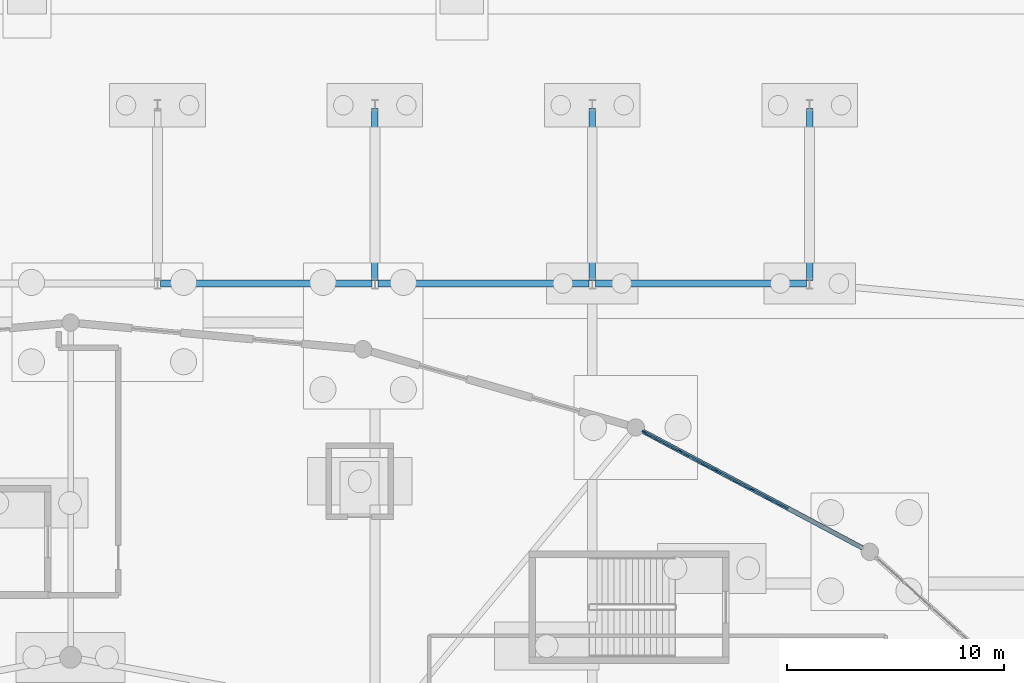
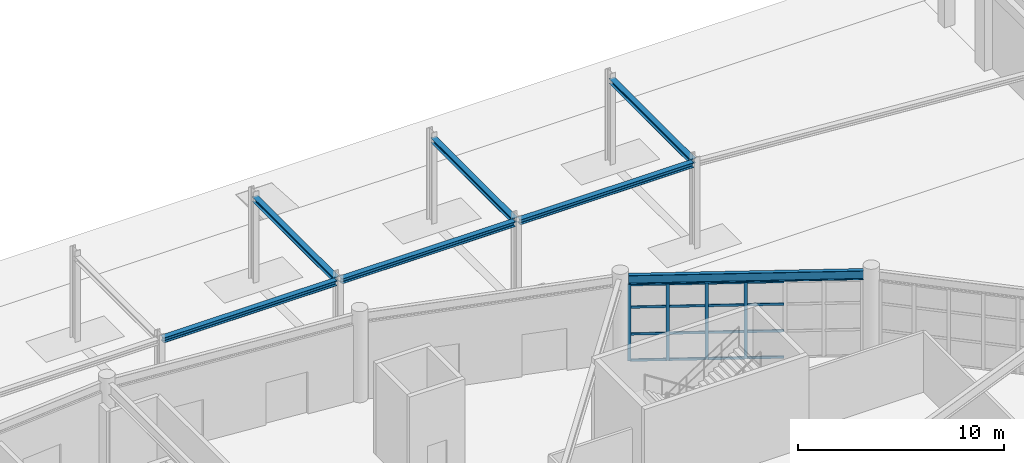
# One storey, part 48 of 99: 20 members, 7 beams, 1 element without a shape of its own.
"""IFC4 building model written with IfcOpenShell, lengths in metres."""

import ifcopenshell
import ifcopenshell.guid

model = None  # the IFC model being written
_history = None  # IfcOwnerHistory: only IFC2X3 demands one
_inside = {}  # id of a spatial element -> (the spatial element, [elements in it])
_under = {}  # id of a project, library or spatial element -> (it, [spatial elements below it])
_declared = {}  # id of a project -> (the project, [libraries it declares])
_typed = {}  # id of a type object -> (the type object, [elements of that type])
_made_of = {}  # id of a material, layer set ... -> (it, [elements and type objects made of it])


def new_model(schema):
    """Start an empty IFC model of exactly this schema.

    Asked for "IFC4X3", IfcOpenShell would pick the latest addendum, in which some entities
    have other attributes; the version numbers below select the first issue.
    IFC2X3 requires an IfcOwnerHistory on every rooted entity: one is made here for all.
    """
    global model, _history
    if schema == "IFC4X3":
        model = ifcopenshell.file(schema_version=(4, 3, 0, 0))
    else:
        model = ifcopenshell.file(schema=schema)
    _inside.clear()
    _under.clear()
    _declared.clear()
    _typed.clear()
    _made_of.clear()
    _history = None
    if model.schema == "IFC2X3":
        org = make("IfcOrganization", Name="unknown")
        user = make(
            "IfcPersonAndOrganization",
            ThePerson=make("IfcPerson", FamilyName="unknown"),
            TheOrganization=org,
        )
        app = make(
            "IfcApplication",
            ApplicationDeveloper=org,
            Version="unknown",
            ApplicationFullName="unknown",
            ApplicationIdentifier="unknown",
        )
        _history = make(
            "IfcOwnerHistory",
            OwningUser=user,
            OwningApplication=app,
            ChangeAction="ADDED",
            CreationDate=0,
        )
    return model


def make(cls, **values):
    """One entity of the class cls with the attributes given. An attribute that is None is left unset."""
    return model.create_entity(
        cls, **{name: value for name, value in values.items() if value is not None}
    )


def rooted(cls, **values):
    """An entity with a GlobalId (a new one), such as an element, a storey or a relation."""
    return make(cls, GlobalId=ifcopenshell.guid.new(), OwnerHistory=_history, **values)


def si_unit(unit_type, name, prefix=None):
    """IfcSIUnit, for example si_unit("LENGTHUNIT", "METRE", prefix="MILLI")."""
    return make("IfcSIUnit", UnitType=unit_type, Prefix=prefix, Name=name)


def assignment(units):
    """IfcUnitAssignment: the units of a project."""
    return None if units is None else make("IfcUnitAssignment", Units=units)


def point(xyz):
    """IfcCartesianPoint."""
    return None if xyz is None else make("IfcCartesianPoint", Coordinates=xyz)


def direction(xyz):
    """IfcDirection."""
    return None if xyz is None else make("IfcDirection", DirectionRatios=xyz)


def frame(location, z_axis=None, x_axis=None):
    """IfcAxis2Placement3D, a coordinate frame: its origin and axes. An axis left out is left unset."""
    return make(
        "IfcAxis2Placement3D",
        Location=point(location),
        Axis=direction(z_axis),
        RefDirection=direction(x_axis),
    )


def frame_2d(location, x_axis=None):
    """IfcAxis2Placement2D, a coordinate frame in the plane: its origin and x axis."""
    return make(
        "IfcAxis2Placement2D", Location=point(location), RefDirection=direction(x_axis)
    )


def origin():
    """The frame at (0, 0, 0) with its axes left unset."""
    return frame((0.0, 0.0, 0.0))


def origin_2d():
    """The frame at (0, 0) in the plane with its x axis left unset."""
    return frame_2d((0.0, 0.0))


def place(relative_to, where):
    """IfcLocalPlacement: puts the frame where relative to a parent placement (None: the world)."""
    return make(
        "IfcLocalPlacement", PlacementRelTo=relative_to, RelativePlacement=where
    )


def context(
    kind, dimensions, precision=None, world=None, true_north=None, identifier=None
):
    """IfcGeometricRepresentationContext, for example the 3D "Model" context."""
    return make(
        "IfcGeometricRepresentationContext",
        ContextIdentifier=identifier,
        ContextType=kind,
        CoordinateSpaceDimension=dimensions,
        Precision=precision,
        WorldCoordinateSystem=world,
        TrueNorth=true_north,
    )


def subcontext(parent, identifier, kind, view, scale=None):
    """IfcGeometricRepresentationSubContext, for example "Body" below "Model"."""
    return make(
        "IfcGeometricRepresentationSubContext",
        ContextIdentifier=identifier,
        ContextType=kind,
        ParentContext=parent,
        TargetScale=scale,
        TargetView=view,
    )


def project(units=None, contexts=None):
    """IfcProject with its units and contexts."""
    return rooted(
        "IfcProject",
        Name="project",
        RepresentationContexts=contexts,
        UnitsInContext=assignment(units),
    )


def spatial(cls, under=None, at=None, **own):
    """A site, building, storey or space (cls), placed at a placement, below another one or the project."""
    s = rooted(cls, ObjectPlacement=at, **own)
    if under is not None:
        _under.setdefault(under.id(), (under, []))[1].append(s)
    return s


def profile(cls, at=None, kind="AREA", **sizes):
    """A parametric profile (cls). Its sizes go by their IFC names, for example OverallWidth=200.0."""
    return make(cls, ProfileType=kind, Position=at, **sizes)


def rectangle(**sizes):
    """IfcRectangleProfileDef."""
    return profile("IfcRectangleProfileDef", **sizes)


def i_section(**sizes):
    """IfcIShapeProfileDef."""
    return profile("IfcIShapeProfileDef", **sizes)


def extrude(swept, where, along, depth):
    """IfcExtrudedAreaSolid: the profile swept, set in the frame where, extruded along a direction by depth."""
    return make(
        "IfcExtrudedAreaSolid",
        SweptArea=swept,
        Position=where,
        ExtrudedDirection=direction(along),
        Depth=depth,
    )


def shape(context_of_items, identifier, shape_type, items):
    """IfcShapeRepresentation: the items that make up one representation, for example the "Body"."""
    return make(
        "IfcShapeRepresentation",
        ContextOfItems=context_of_items,
        RepresentationIdentifier=identifier,
        RepresentationType=shape_type,
        Items=items,
    )


def material(Name=None, Category=None):
    """IfcMaterial."""
    return make("IfcMaterial", Name=Name, Category=Category)


def layer(
    of_material, thickness, ventilated=None, Name=None, Category=None, Priority=None
):
    """IfcMaterialLayer: one layer of a wall or slab, of a material (None: an air gap)."""
    return make(
        "IfcMaterialLayer",
        Material=of_material,
        LayerThickness=thickness,
        IsVentilated=ventilated,
        Name=Name,
        Category=Category,
        Priority=Priority,
    )


def layer_set(layers, Name=None):
    """IfcMaterialLayerSet."""
    return make("IfcMaterialLayerSet", MaterialLayers=layers, LayerSetName=Name)


def material_profile(
    of_material, cross_section, Name=None, Category=None, Priority=None
):
    """IfcMaterialProfile: a cross section and its material."""
    return make(
        "IfcMaterialProfile",
        Name=Name,
        Material=of_material,
        Profile=cross_section,
        Priority=Priority,
        Category=Category,
    )


def profile_set(profiles, Name=None, composite=None):
    """IfcMaterialProfileSet."""
    return make(
        "IfcMaterialProfileSet",
        Name=Name,
        MaterialProfiles=profiles,
        CompositeProfile=composite,
    )


def made_of(thing, what):
    """Note that an element or type object is made of a material, layer set ...; save() writes the relation."""
    if what is not None:
        _made_of.setdefault(what.id(), (what, []))[1].append(thing)
    return thing


def type_object(cls, material=None, **own):
    """A type object (cls), such as IfcWallType, which elements share."""
    return made_of(rooted(cls, **own), material)


def element(
    cls,
    number,
    at=None,
    inside=None,
    cuts=None,
    type_object=None,
    material=None,
    context=None,
    identifier="Body",
    shape_type=None,
    held_by="IfcProductDefinitionShape",
    body=None,
    shapes=None,
    **own,
):
    """One element of the class cls, such as IfcWall. Its Tag is "e" and its number.

    at: its placement. inside: the storey or other place that contains it. cuts: it is an
    opening in that element (IfcRelVoidsElement). A single representation is given by context,
    identifier, shape_type and body (its items); several are given by shapes. held_by: the class
    of the entity that holds the representations. save() writes the other relations.
    """
    e = rooted(cls, Tag="e%d" % number, ObjectPlacement=at, **own)
    if body is not None:
        shapes = [shape(context, identifier, shape_type, body)]
    if shapes is not None:
        e.Representation = make(held_by, Representations=shapes)
    if inside is not None:
        _inside.setdefault(inside.id(), (inside, []))[1].append(e)
    if cuts is not None:
        rooted(
            "IfcRelVoidsElement", RelatingBuildingElement=cuts, RelatedOpeningElement=e
        )
    if type_object is not None:
        _typed.setdefault(type_object.id(), (type_object, []))[1].append(e)
    return made_of(e, material)


def aggregate(whole, parts):
    """IfcRelAggregates: a whole, such as a stair, and the parts it consists of."""
    return rooted("IfcRelAggregates", RelatingObject=whole, RelatedObjects=parts)


def save(model, path):
    """Write the relations noted so far, then the file.

    IfcRelAggregates (storeys below a building ...), IfcRelContainedInSpatialStructure (elements
    in a storey), IfcRelDefinesByType, IfcRelAssociatesMaterial and IfcRelDeclares: one each for
    every whole, place, type object, material and project.
    """
    for whole, parts in _under.values():
        aggregate(whole, parts)
    for where, things in _inside.values():
        rooted(
            "IfcRelContainedInSpatialStructure",
            RelatedElements=things,
            RelatingStructure=where,
        )
    for kind, things in _typed.values():
        rooted("IfcRelDefinesByType", RelatedObjects=things, RelatingType=kind)
    for what, things in _made_of.values():
        rooted("IfcRelAssociatesMaterial", RelatedObjects=things, RelatingMaterial=what)
    for by, libraries in _declared.values():
        rooted("IfcRelDeclares", RelatingContext=by, RelatedDefinitions=libraries)
    model.write(path)


model = new_model("IFC4")

# Units and contexts
model_context = context("Model", 3, precision=1e-05, world=origin(), true_north=direction((0.0, 1.0)))
body_context = subcontext(model_context, "Body", "Model", "MODEL_VIEW")
ifc_project = project(units=[si_unit("LENGTHUNIT", "METRE"), si_unit("AREAUNIT", "SQUARE_METRE"), si_unit("VOLUMEUNIT", "CUBIC_METRE"), si_unit("PLANEANGLEUNIT", "RADIAN"), si_unit("MASSUNIT", "GRAM", prefix="KILO")], contexts=[model_context])

# Site, building, storey
site_placement = place(None, origin())
site = spatial("IfcSite", under=ifc_project, at=site_placement, CompositionType="ELEMENT")
building_placement = place(site_placement, origin())
building = spatial("IfcBuilding", under=site, at=building_placement, Name="Kivolera Central Railway Station", CompositionType="ELEMENT")
storey_placement = place(building_placement, origin())
storey = spatial("IfcBuildingStorey", under=building, at=storey_placement, Name="L00", CompositionType="ELEMENT", Elevation=0.0)

# Beams
ifc_material_1 = material(Name="Steel S355", Category="steel")
ifc_material_profile_1 = material_profile(ifc_material_1, i_section(OverallWidth=0.300048828125, OverallDepth=0.2900390625, WebThickness=0.008544921875, FlangeThickness=0.013916015625, FilletRadius=0.027099609375, at=origin_2d()), Name="HEA 300")
ifc_profile_set_1 = profile_set([ifc_material_profile_1], Name="Steel S355")
beam_type_1 = type_object("IfcBeamType", Name="BM-CAN-TIE", PredefinedType="BEAM", material=ifc_profile_set_1)
for number, where, z_axis, x_axis, name in (
    (1, (78.0, 127.93994140625, 4.919921875), (0.0, 1.0, 0.0), (-1.0, 0.0, 0.0), "Forecourt Canopy Tie Beam 6"),
    (2, (88.0, 127.93994140625, 4.919921875), (0.0, 1.0, 0.0), (-1.0, 0.0, 0.0), "Forecourt Canopy Tie Beam 7"),
    (3, (98.0, 127.93994140625, 4.919921875), (0.0, 1.0, 0.0), (-1.0, 0.0, 0.0), "Forecourt Canopy Tie Beam 8"),
):
    element("IfcBeam", number, at=place(storey_placement, frame(where, z_axis=z_axis, x_axis=x_axis)), inside=storey, type_object=beam_type_1, Name=name, PredefinedType="BEAM", context=body_context, shape_type="SweptSolid", body=[
        extrude(i_section(OverallWidth=0.300048828125, OverallDepth=0.2900390625, WebThickness=0.008544921875, FlangeThickness=0.013916015625, FilletRadius=0.027099609375, at=origin_2d()), origin(), (0.0, 0.0, 1.0), 7.920166015625),
    ])
for number, where, z_axis, x_axis, name in (
    (4, (68.139892578125, 127.800048828125, 4.919921875), (1.0, 0.0, 0.0), (0.0, 1.0, 0.0), "Forecourt Canopy South Longitudinal Beam 68"),
    (5, (78.139892578125, 127.800048828125, 4.919921875), (1.0, 0.0, 0.0), (0.0, 1.0, 0.0), "Forecourt Canopy South Longitudinal Beam 78"),
    (6, (88.139892578125, 127.800048828125, 4.919921875), (1.0, 0.0, 0.0), (0.0, 1.0, 0.0), "Forecourt Canopy South Longitudinal Beam 88"),
):
    element("IfcBeam", number, at=place(storey_placement, frame(where, z_axis=z_axis, x_axis=x_axis)), inside=storey, type_object=beam_type_1, Name=name, PredefinedType="BEAM", context=body_context, shape_type="SweptSolid", body=[
        extrude(i_section(OverallWidth=0.300048828125, OverallDepth=0.2900390625, WebThickness=0.008544921875, FlangeThickness=0.013916015625, FilletRadius=0.027099609375, at=origin_2d()), origin(), (0.0, 0.0, 1.0), 9.72021484375),
    ])
ifc_material_profile_2 = material_profile(ifc_material_1, i_section(OverallWidth=0.209228515625, OverallDepth=0.533203125, WebThickness=0.010009765625, FlangeThickness=0.015625, FilletRadius=0.0126953125, at=origin_2d()), Name="UB 533x210x92")
ifc_profile_set_2 = profile_set([ifc_material_profile_2], Name="Steel S355")
beam_type_2 = type_object("IfcBeamType", Name="BM-SHD-UB533", PredefinedType="BEAM", material=ifc_profile_set_2)
beam_placement = place(storey_placement, frame((100.426025390625, 115.638916015625, 4.841064453125), z_axis=(-0.883155588993, 0.469080169725, 0.0), x_axis=(-0.469080169725, -0.883155588993, 0.0)))
element("IfcBeam", 7, at=beam_placement, inside=storey, type_object=beam_type_2, Name="L00 Oval Perimeter Ring Beam 04", PredefinedType="BEAM", context=body_context, shape_type="SweptSolid", body=[
    extrude(i_section(OverallWidth=0.209228515625, OverallDepth=0.533203125, WebThickness=0.010009765625, FlangeThickness=0.015625, FilletRadius=0.0126953125, at=origin_2d()), origin(), (0.0, 0.0, 1.0), 11.416015625),
])

# Curtain wall, members
ifc_material_2 = material(Name="Anodised aluminium", Category="aluminium")
ifc_layer = layer(ifc_material_2, 0.179931640625, Name="Anodised aluminium")
ifc_layer_set = layer_set([ifc_layer], Name="Anodised aluminium")
curtain_wall_type = type_object("IfcCurtainWallType", Name="CW-SYS-07", PredefinedType="NOTDEFINED", material=ifc_layer_set)
curtain_wall_placement = place(storey_placement, origin())
curtain_wall = element("IfcCurtainWall", 8, at=curtain_wall_placement, inside=storey, type_object=curtain_wall_type, Name="L00 Curtain Wall CW-L00-OVL-03", PredefinedType="NOTDEFINED")
ifc_material_profile_3 = material_profile(ifc_material_2, rectangle(XDim=0.070068359375, YDim=0.179931640625, at=origin_2d()), Name="ALU MULL 70x180")
ifc_profile_set_3 = profile_set([ifc_material_profile_3], Name="Anodised aluminium")
member_type_1 = type_object("IfcMemberType", Name="CWM-MUL-1", PredefinedType="MULLION", material=ifc_profile_set_3)
member_1_placement = place(storey_placement, frame((90.3837890625, 120.97265625, -0.0048828125), z_axis=(0.0, 0.0, 1.0), x_axis=(0.469052563023, 0.883170251493, 0.0)))
member_1 = element("IfcMember", 9, at=member_1_placement, type_object=member_type_1, Name="CW-07 mullion 1", PredefinedType="MULLION", context=body_context, shape_type="SweptSolid", body=[
    extrude(rectangle(XDim=0.070068359375, YDim=0.179931640625, at=origin_2d()), origin(), (0.0, 0.0, 1.0), 4.554931640625),
])
member_2_placement = place(storey_placement, frame((92.0302734375, 120.09814453125, -0.0048828125), z_axis=(0.0, 0.0, 1.0), x_axis=(0.469052563023, 0.883170251493, 0.0)))
member_2 = element("IfcMember", 10, at=member_2_placement, type_object=member_type_1, Name="CW-07 mullion 2", PredefinedType="MULLION", context=body_context, shape_type="SweptSolid", body=[
    extrude(rectangle(XDim=0.070068359375, YDim=0.179931640625, at=origin_2d()), origin(), (0.0, 0.0, 1.0), 4.554931640625),
])
member_3_placement = place(storey_placement, frame((93.707763671875, 119.207275390625, -0.0048828125), z_axis=(0.0, 0.0, 1.0), x_axis=(0.469052563023, 0.883170251493, 0.0)))
member_3 = element("IfcMember", 11, at=member_3_placement, type_object=member_type_1, Name="CW-07 mullion 3", PredefinedType="MULLION", context=body_context, shape_type="SweptSolid", body=[
    extrude(rectangle(XDim=0.070068359375, YDim=0.179931640625, at=origin_2d()), origin(), (0.0, 0.0, 1.0), 4.554931640625),
])
member_4_placement = place(storey_placement, frame((95.385009765625, 118.31640625, -0.0048828125), z_axis=(0.0, 0.0, 1.0), x_axis=(0.469052563023, 0.883170251493, 0.0)))
member_4 = element("IfcMember", 12, at=member_4_placement, type_object=member_type_1, Name="CW-07 mullion 4", PredefinedType="MULLION", context=body_context, shape_type="SweptSolid", body=[
    extrude(rectangle(XDim=0.070068359375, YDim=0.179931640625, at=origin_2d()), origin(), (0.0, 0.0, 1.0), 4.554931640625),
])
ifc_material_profile_4 = material_profile(ifc_material_2, rectangle(XDim=0.070068359375, YDim=0.139892578125, at=origin_2d()), Name="ALU TRAN 70x140")
ifc_profile_set_4 = profile_set([ifc_material_profile_4], Name="Anodised aluminium")
member_type_2 = type_object("IfcMemberType", Name="CWM-TRN-1", PredefinedType="USERDEFINED", material=ifc_profile_set_4)
member_5_placement = place(storey_placement, frame((90.414794921875, 120.9560546875, 0.034912109375), z_axis=(0.883191460259, -0.469012627255, 0.0), x_axis=(0.469012627255, 0.883191460259, 0.0)))
member_5 = element("IfcMember", 13, at=member_5_placement, type_object=member_type_2, Name="CW-07 transom 1.1", ObjectType="TRANSOM", PredefinedType="USERDEFINED", context=body_context, shape_type="SweptSolid", body=[
    extrude(rectangle(XDim=0.070068359375, YDim=0.139892578125, at=origin_2d()), origin(), (0.0, 0.0, 1.0), 1.794189453125),
])
member_6_placement = place(storey_placement, frame((90.414794921875, 120.9560546875, 1.592529296875), z_axis=(0.883191460259, -0.469012627255, 0.0), x_axis=(0.469012627255, 0.883191460259, 0.0)))
member_6 = element("IfcMember", 14, at=member_6_placement, type_object=member_type_2, Name="CW-07 transom 1.2", ObjectType="TRANSOM", PredefinedType="USERDEFINED", context=body_context, shape_type="SweptSolid", body=[
    extrude(rectangle(XDim=0.070068359375, YDim=0.139892578125, at=origin_2d()), origin(), (0.0, 0.0, 1.0), 1.794189453125),
])
member_7_placement = place(storey_placement, frame((90.414794921875, 120.9560546875, 3.18505859375), z_axis=(0.883191460259, -0.469012627255, 0.0), x_axis=(0.469012627255, 0.883191460259, 0.0)))
member_7 = element("IfcMember", 15, at=member_7_placement, type_object=member_type_2, Name="CW-07 transom 1.3", ObjectType="TRANSOM", PredefinedType="USERDEFINED", context=body_context, shape_type="SweptSolid", body=[
    extrude(rectangle(XDim=0.070068359375, YDim=0.139892578125, at=origin_2d()), origin(), (0.0, 0.0, 1.0), 1.794189453125),
])
member_8_placement = place(storey_placement, frame((90.414794921875, 120.9560546875, 4.514892578125), z_axis=(0.883191460259, -0.469012627255, 0.0), x_axis=(0.469012627255, 0.883191460259, 0.0)))
member_8 = element("IfcMember", 16, at=member_8_placement, type_object=member_type_2, Name="CW-07 transom 1.4", ObjectType="TRANSOM", PredefinedType="USERDEFINED", context=body_context, shape_type="SweptSolid", body=[
    extrude(rectangle(XDim=0.070068359375, YDim=0.139892578125, at=origin_2d()), origin(), (0.0, 0.0, 1.0), 1.794189453125),
])
member_9_placement = place(storey_placement, frame((92.061279296875, 120.081787109375, 0.034912109375), z_axis=(0.883131271136, -0.469125951042, 0.0), x_axis=(0.469125951042, 0.883131271136, 0.0)))
member_9 = element("IfcMember", 17, at=member_9_placement, type_object=member_type_2, Name="CW-07 transom 2.1", ObjectType="TRANSOM", PredefinedType="USERDEFINED", context=body_context, shape_type="SweptSolid", body=[
    extrude(rectangle(XDim=0.070068359375, YDim=0.139892578125, at=origin_2d()), origin(), (0.0, 0.0, 1.0), 1.829345703125),
])
member_10_placement = place(storey_placement, frame((92.061279296875, 120.081787109375, 1.592529296875), z_axis=(0.883131271136, -0.469125951042, 0.0), x_axis=(0.469125951042, 0.883131271136, 0.0)))
member_10 = element("IfcMember", 18, at=member_10_placement, type_object=member_type_2, Name="CW-07 transom 2.2", ObjectType="TRANSOM", PredefinedType="USERDEFINED", context=body_context, shape_type="SweptSolid", body=[
    extrude(rectangle(XDim=0.070068359375, YDim=0.139892578125, at=origin_2d()), origin(), (0.0, 0.0, 1.0), 1.829345703125),
])
member_11_placement = place(storey_placement, frame((92.061279296875, 120.081787109375, 3.18505859375), z_axis=(0.883131271136, -0.469125951042, 0.0), x_axis=(0.469125951042, 0.883131271136, 0.0)))
member_11 = element("IfcMember", 19, at=member_11_placement, type_object=member_type_2, Name="CW-07 transom 2.3", ObjectType="TRANSOM", PredefinedType="USERDEFINED", context=body_context, shape_type="SweptSolid", body=[
    extrude(rectangle(XDim=0.070068359375, YDim=0.139892578125, at=origin_2d()), origin(), (0.0, 0.0, 1.0), 1.829345703125),
])
member_12_placement = place(storey_placement, frame((92.061279296875, 120.081787109375, 4.514892578125), z_axis=(0.883131271136, -0.469125951042, 0.0), x_axis=(0.469125951042, 0.883131271136, 0.0)))
member_12 = element("IfcMember", 20, at=member_12_placement, type_object=member_type_2, Name="CW-07 transom 2.4", ObjectType="TRANSOM", PredefinedType="USERDEFINED", context=body_context, shape_type="SweptSolid", body=[
    extrude(rectangle(XDim=0.070068359375, YDim=0.139892578125, at=origin_2d()), origin(), (0.0, 0.0, 1.0), 1.829345703125),
])
member_13_placement = place(storey_placement, frame((93.738525390625, 119.19091796875, 0.034912109375), z_axis=(0.88318656257, -0.469021849913, 0.0), x_axis=(0.469021849913, 0.88318656257, 0.0)))
member_13 = element("IfcMember", 21, at=member_13_placement, type_object=member_type_2, Name="CW-07 transom 3.1", ObjectType="TRANSOM", PredefinedType="USERDEFINED", context=body_context, shape_type="SweptSolid", body=[
    extrude(rectangle(XDim=0.070068359375, YDim=0.139892578125, at=origin_2d()), origin(), (0.0, 0.0, 1.0), 1.8291015625),
])
member_14_placement = place(storey_placement, frame((93.738525390625, 119.19091796875, 1.592529296875), z_axis=(0.88318656257, -0.469021849913, 0.0), x_axis=(0.469021849913, 0.88318656257, 0.0)))
member_14 = element("IfcMember", 22, at=member_14_placement, type_object=member_type_2, Name="CW-07 transom 3.2", ObjectType="TRANSOM", PredefinedType="USERDEFINED", context=body_context, shape_type="SweptSolid", body=[
    extrude(rectangle(XDim=0.070068359375, YDim=0.139892578125, at=origin_2d()), origin(), (0.0, 0.0, 1.0), 1.8291015625),
])
member_15_placement = place(storey_placement, frame((93.738525390625, 119.19091796875, 3.18505859375), z_axis=(0.88318656257, -0.469021849913, 0.0), x_axis=(0.469021849913, 0.88318656257, 0.0)))
member_15 = element("IfcMember", 23, at=member_15_placement, type_object=member_type_2, Name="CW-07 transom 3.3", ObjectType="TRANSOM", PredefinedType="USERDEFINED", context=body_context, shape_type="SweptSolid", body=[
    extrude(rectangle(XDim=0.070068359375, YDim=0.139892578125, at=origin_2d()), origin(), (0.0, 0.0, 1.0), 1.8291015625),
])
member_16_placement = place(storey_placement, frame((93.738525390625, 119.19091796875, 4.514892578125), z_axis=(0.88318656257, -0.469021849913, 0.0), x_axis=(0.469021849913, 0.88318656257, 0.0)))
member_16 = element("IfcMember", 24, at=member_16_placement, type_object=member_type_2, Name="CW-07 transom 3.4", ObjectType="TRANSOM", PredefinedType="USERDEFINED", context=body_context, shape_type="SweptSolid", body=[
    extrude(rectangle(XDim=0.070068359375, YDim=0.139892578125, at=origin_2d()), origin(), (0.0, 0.0, 1.0), 1.8291015625),
])
member_17_placement = place(storey_placement, frame((95.416015625, 118.300048828125, 0.034912109375), z_axis=(0.88318656257, -0.469021849913, 0.0), x_axis=(0.469021849913, 0.88318656257, 0.0)))
member_17 = element("IfcMember", 25, at=member_17_placement, type_object=member_type_2, Name="CW-07 transom 4.1", ObjectType="TRANSOM", PredefinedType="USERDEFINED", context=body_context, shape_type="SweptSolid", body=[
    extrude(rectangle(XDim=0.070068359375, YDim=0.139892578125, at=origin_2d()), origin(), (0.0, 0.0, 1.0), 1.8291015625),
])
member_18_placement = place(storey_placement, frame((95.416015625, 118.300048828125, 1.592529296875), z_axis=(0.88318656257, -0.469021849913, 0.0), x_axis=(0.469021849913, 0.88318656257, 0.0)))
member_18 = element("IfcMember", 26, at=member_18_placement, type_object=member_type_2, Name="CW-07 transom 4.2", ObjectType="TRANSOM", PredefinedType="USERDEFINED", context=body_context, shape_type="SweptSolid", body=[
    extrude(rectangle(XDim=0.070068359375, YDim=0.139892578125, at=origin_2d()), origin(), (0.0, 0.0, 1.0), 1.8291015625),
])
member_19_placement = place(storey_placement, frame((95.416015625, 118.300048828125, 3.18505859375), z_axis=(0.88318656257, -0.469021849913, 0.0), x_axis=(0.469021849913, 0.88318656257, 0.0)))
member_19 = element("IfcMember", 27, at=member_19_placement, type_object=member_type_2, Name="CW-07 transom 4.3", ObjectType="TRANSOM", PredefinedType="USERDEFINED", context=body_context, shape_type="SweptSolid", body=[
    extrude(rectangle(XDim=0.070068359375, YDim=0.139892578125, at=origin_2d()), origin(), (0.0, 0.0, 1.0), 1.8291015625),
])
member_20_placement = place(storey_placement, frame((95.416015625, 118.300048828125, 4.514892578125), z_axis=(0.88318656257, -0.469021849913, 0.0), x_axis=(0.469021849913, 0.88318656257, 0.0)))
member_20 = element("IfcMember", 28, at=member_20_placement, type_object=member_type_2, Name="CW-07 transom 4.4", ObjectType="TRANSOM", PredefinedType="USERDEFINED", context=body_context, shape_type="SweptSolid", body=[
    extrude(rectangle(XDim=0.070068359375, YDim=0.139892578125, at=origin_2d()), origin(), (0.0, 0.0, 1.0), 1.8291015625),
])
aggregate(curtain_wall, [member_1, member_2, member_3, member_4, member_5, member_6, member_7, member_8, member_9, member_10, member_11, member_12, member_13, member_14, member_15, member_16, member_17, member_18, member_19, member_20])

save(model, "model.ifc")
